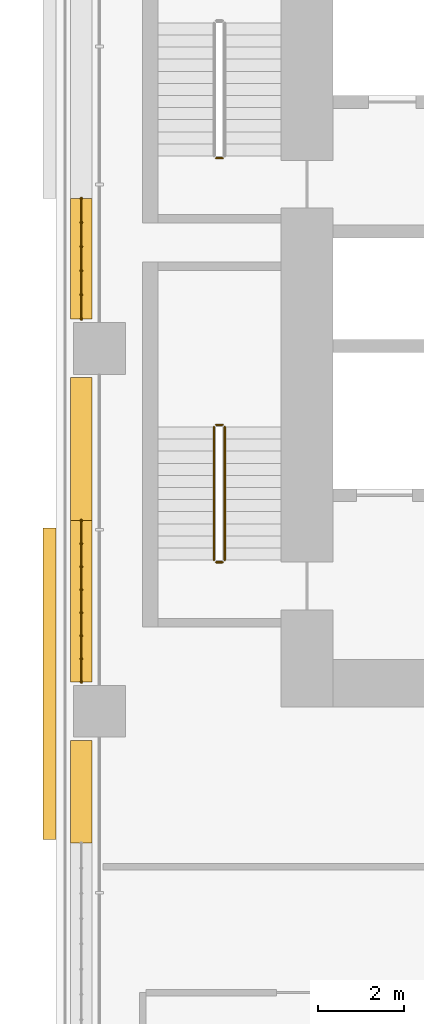
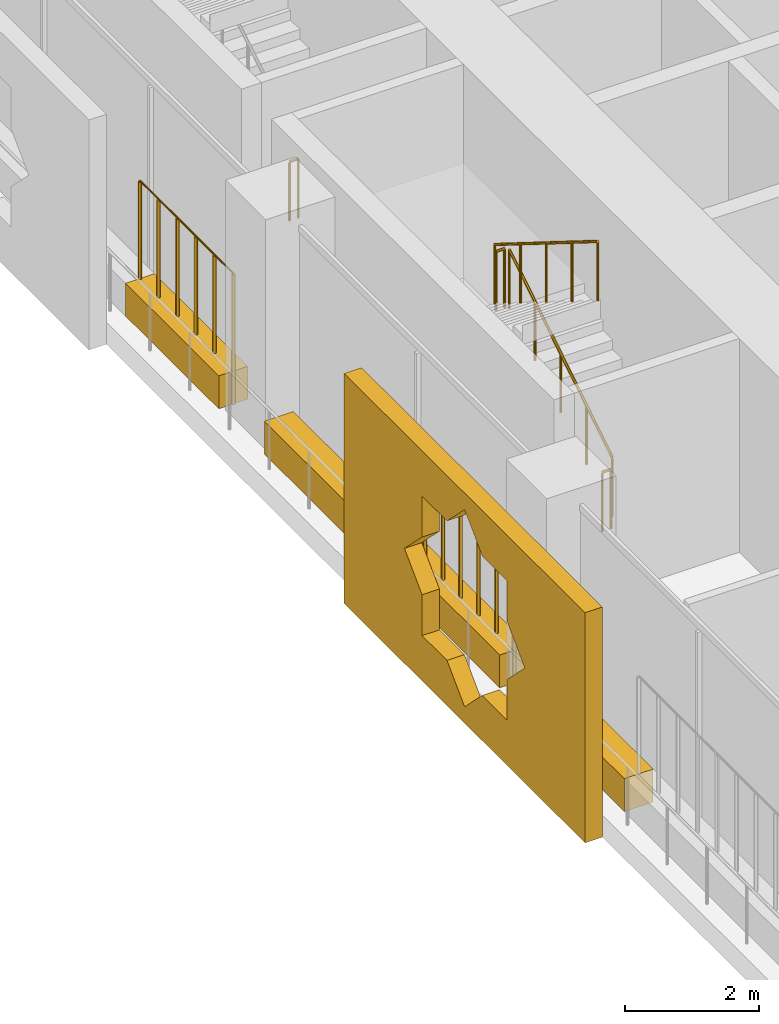
# One storey, part 23 of 28: 7 railings, 5 coverings.
"""IFC4 building model written with IfcOpenShell, lengths in metres."""

from ifc_helpers import new_model, si_unit, direction, frame, origin, origin_2d, place, context, subcontext, project, spatial, polyline, rectangle, circle, outline, extrude, material, material_profile, profile_set, type_object, element, save


model = new_model("IFC4")

# Units and contexts
model_context = context("Model", 3, precision=1e-05, world=origin(), true_north=direction((0.0, 1.0)))
body_context = subcontext(model_context, "Body", "Model", "MODEL_VIEW")
ifc_project = project(units=[si_unit("LENGTHUNIT", "METRE"), si_unit("AREAUNIT", "SQUARE_METRE"), si_unit("VOLUMEUNIT", "CUBIC_METRE"), si_unit("PLANEANGLEUNIT", "RADIAN"), si_unit("MASSUNIT", "GRAM", prefix="KILO")], contexts=[model_context])

# Site, building, storey
site_placement = place(None, origin())
site = spatial("IfcSite", under=ifc_project, at=site_placement, CompositionType="ELEMENT")
building_placement = place(site_placement, origin())
building = spatial("IfcBuilding", under=site, at=building_placement, Name="Kawkab Arch Medical Tower", CompositionType="ELEMENT")
storey_placement = place(building_placement, frame((0.0, 0.0, 81.199951171875)))
storey = spatial("IfcBuildingStorey", under=building, at=storey_placement, Name="L18", CompositionType="ELEMENT", Elevation=81.199951171875)

# Coverings
ifc_material_1 = material(Name="Bronze anodised aluminium mashrabiya panel, eight-point star pattern", Category="aluminium")
ifc_material_profile_1 = material_profile(ifc_material_1, outline(polyline([(-3.60009765625, -2.10009765625), (3.60009765625, -2.10009765625), (3.60009765625, 2.10009765625), (-3.60009765625, 2.10009765625), (-3.60009765625, -2.10009765625)]), holes=[polyline([(1.800048828125, 0.0), (1.272705078125, 0.527099609375), (1.272705078125, 1.272705078125), (0.527099609375, 1.272705078125), (0.0, 1.800048828125), (-0.527099609375, 1.272705078125), (-1.272705078125, 1.272705078125), (-1.272705078125, 0.527099609375), (-1.800048828125, 0.0), (-1.272705078125, -0.527099609375), (-1.272705078125, -1.272705078125), (-0.527099609375, -1.272705078125), (0.0, -1.800048828125), (0.527099609375, -1.272705078125), (1.272705078125, -1.272705078125), (1.272705078125, -0.527099609375), (1.800048828125, 0.0)])]), Name="Mashrabiya panel 7200x4200")
ifc_profile_set_1 = profile_set([ifc_material_profile_1], Name="Bronze anodised aluminium mashrabiya panel, eight-point star pattern")
covering_type_1 = type_object("IfcCoveringType", Name="Mashrabiya panel 7200 x 4200", PredefinedType="USERDEFINED", material=ifc_profile_set_1)
covering_1_placement = place(storey_placement, frame((-1.0, -24.561767578125, 1.699951171875), z_axis=(-1.0, 0.0, 0.0), x_axis=(0.0, -1.0, 0.0)))
element("IfcCovering", 1, at=covering_1_placement, inside=storey, type_object=covering_type_1, Name="Mashrabiya panel L18.LOG-01-01.4", ObjectType="SCREEN", PredefinedType="USERDEFINED", context=body_context, shape_type="SweptSolid", body=[
    extrude(outline(polyline([(-3.60009765625, -2.10009765625), (3.60009765625, -2.10009765625), (3.60009765625, 2.10009765625), (-3.60009765625, 2.10009765625), (-3.60009765625, -2.10009765625)]), holes=[polyline([(1.800048828125, 0.0), (1.272705078125, 0.527099609375), (1.272705078125, 1.272705078125), (0.527099609375, 1.272705078125), (0.0, 1.800048828125), (-0.527099609375, 1.272705078125), (-1.272705078125, 1.272705078125), (-1.272705078125, 0.527099609375), (-1.800048828125, 0.0), (-1.272705078125, -0.527099609375), (-1.272705078125, -1.272705078125), (-0.527099609375, -1.272705078125), (0.0, -1.800048828125), (0.527099609375, -1.272705078125), (1.272705078125, -1.272705078125), (1.272705078125, -0.527099609375), (1.800048828125, 0.0)])]), origin(), (0.0, 0.0, 1.0), 0.300048828125),
])
ifc_material_2 = material(Name="Planting soil in a precast trough", Category="concrete")
ifc_material_profile_2 = material_profile(ifc_material_2, rectangle(XDim=0.5, YDim=0.60009765625, at=origin_2d()), Name="Trough 500x600")
ifc_profile_set_2 = profile_set([ifc_material_profile_2], Name="Planting soil in a precast trough")
covering_type_2 = type_object("IfcCoveringType", Name="Planter trough 500 x 600", PredefinedType="USERDEFINED", material=ifc_profile_set_2)
covering_2_placement = place(storey_placement, frame((-0.419921875, -28.243896484375, 0.300048828125), z_axis=(0.0, 1.0, 0.0), x_axis=(-1.0, 0.0, 0.0)))
element("IfcCovering", 2, at=covering_2_placement, inside=storey, type_object=covering_type_2, Name="Planter L18.LOG-01-01.12", ObjectType="PLANTER", PredefinedType="USERDEFINED", context=body_context, shape_type="SweptSolid", body=[
    extrude(rectangle(XDim=0.5, YDim=0.60009765625, at=origin_2d()), origin(), (0.0, 0.0, 1.0), 2.364013671875),
])
covering_3_placement = place(storey_placement, frame((-0.419921875, -24.52001953125, 0.300048828125), z_axis=(0.0, 1.0, 0.0), x_axis=(-1.0, 0.0, 0.0)))
element("IfcCovering", 3, at=covering_3_placement, inside=storey, type_object=covering_type_2, Name="Planter L18.LOG-01-01.13", ObjectType="PLANTER", PredefinedType="USERDEFINED", context=body_context, shape_type="SweptSolid", body=[
    extrude(rectangle(XDim=0.5, YDim=0.60009765625, at=origin_2d()), origin(), (0.0, 0.0, 1.0), 3.73291015625),
])
covering_4_placement = place(storey_placement, frame((-0.419921875, -20.787109375, 0.300048828125), z_axis=(0.0, 1.0, 0.0), x_axis=(-1.0, 0.0, 0.0)))
element("IfcCovering", 4, at=covering_4_placement, inside=storey, type_object=covering_type_2, Name="Planter L18.LOG-01-01.14", ObjectType="PLANTER", PredefinedType="USERDEFINED", context=body_context, shape_type="SweptSolid", body=[
    extrude(rectangle(XDim=0.5, YDim=0.60009765625, at=origin_2d()), origin(), (0.0, 0.0, 1.0), 3.30712890625),
])
covering_5_placement = place(storey_placement, frame((-0.419921875, -16.1201171875, 0.300048828125), z_axis=(0.0, 1.0, 0.0), x_axis=(-1.0, 0.0, 0.0)))
element("IfcCovering", 5, at=covering_5_placement, inside=storey, type_object=covering_type_2, Name="Planter L18.LOG-01-01.15", ObjectType="PLANTER", PredefinedType="USERDEFINED", context=body_context, shape_type="SweptSolid", body=[
    extrude(rectangle(XDim=0.5, YDim=0.60009765625, at=origin_2d()), origin(), (0.0, 0.0, 1.0), 2.7890625),
])

# Railings
ifc_material_3 = material(Name="Bronze anodised aluminium trellis for climbing plants", Category="aluminium")
railing_type_1 = type_object("IfcRailingType", Name="Planting trellis 2400", PredefinedType="USERDEFINED", material=ifc_material_3)
railing_1_placement = place(storey_placement, frame((-0.419921875, -24.52001953125, 0.0)))
element("IfcRailing", 6, at=railing_1_placement, inside=storey, type_object=railing_type_1, Name="Planting trellis L18.LOG-01-01.13", ObjectType="TRELLIS", PredefinedType="USERDEFINED", context=body_context, shape_type="SweptSolid", body=[
    extrude(circle(Radius=0.01513671875, at=origin_2d()), frame((0.0, 0.0, 2.384765625), z_axis=(0.0, 1.0, 0.0), x_axis=(-1.0, 0.0, 0.0)), (0.0, 0.0, 1.0), 3.73291015625),
    extrude(circle(Radius=0.030029296875, at=origin_2d()), origin(), (0.0, 0.0, 1.0), 2.369873046875),
    extrude(circle(Radius=0.030029296875, at=origin_2d()), frame((0.0, 0.533203125, 0.0)), (0.0, 0.0, 1.0), 2.369873046875),
    extrude(circle(Radius=0.030029296875, at=origin_2d()), frame((0.0, 1.066650390625, 0.0)), (0.0, 0.0, 1.0), 2.369873046875),
    extrude(circle(Radius=0.030029296875, at=origin_2d()), frame((0.0, 1.599853515625, 0.0)), (0.0, 0.0, 1.0), 2.369873046875),
    extrude(circle(Radius=0.030029296875, at=origin_2d()), frame((0.0, 2.133056640625, 0.0)), (0.0, 0.0, 1.0), 2.369873046875),
    extrude(circle(Radius=0.030029296875, at=origin_2d()), frame((0.0, 2.666259765625, 0.0)), (0.0, 0.0, 1.0), 2.369873046875),
    extrude(circle(Radius=0.030029296875, at=origin_2d()), frame((0.0, 3.19970703125, 0.0)), (0.0, 0.0, 1.0), 2.369873046875),
    extrude(circle(Radius=0.030029296875, at=origin_2d()), frame((0.0, 3.73291015625, 0.0)), (0.0, 0.0, 1.0), 2.369873046875),
])
railing_2_placement = place(storey_placement, frame((-0.419921875, -16.1201171875, 0.0)))
element("IfcRailing", 7, at=railing_2_placement, inside=storey, type_object=railing_type_1, Name="Planting trellis L18.LOG-01-01.15", ObjectType="TRELLIS", PredefinedType="USERDEFINED", context=body_context, shape_type="SweptSolid", body=[
    extrude(circle(Radius=0.01513671875, at=origin_2d()), frame((0.0, 0.0, 2.384765625), z_axis=(0.0, 1.0, 0.0), x_axis=(-1.0, 0.0, 0.0)), (0.0, 0.0, 1.0), 2.7890625),
    extrude(circle(Radius=0.030029296875, at=origin_2d()), origin(), (0.0, 0.0, 1.0), 2.369873046875),
    extrude(circle(Radius=0.030029296875, at=origin_2d()), frame((0.0, 0.557861328125, 0.0)), (0.0, 0.0, 1.0), 2.369873046875),
    extrude(circle(Radius=0.030029296875, at=origin_2d()), frame((0.0, 1.11572265625, 0.0)), (0.0, 0.0, 1.0), 2.369873046875),
    extrude(circle(Radius=0.030029296875, at=origin_2d()), frame((0.0, 1.67333984375, 0.0)), (0.0, 0.0, 1.0), 2.369873046875),
    extrude(circle(Radius=0.030029296875, at=origin_2d()), frame((0.0, 2.231201171875, 0.0)), (0.0, 0.0, 1.0), 2.369873046875),
    extrude(circle(Radius=0.030029296875, at=origin_2d()), frame((0.0, 2.7890625, 0.0)), (0.0, 0.0, 1.0), 2.369873046875),
])
ifc_material_4 = material(Name="Stainless steel", Category="steel")
railing_type_2 = type_object("IfcRailingType", Name="Stair guard 1100", PredefinedType="GUARDRAIL", material=ifc_material_4)
railing_3_placement = place(storey_placement, frame((2.85009765625, -12.39990234375, 0.0)))
element("IfcRailing", 8, at=railing_3_placement, inside=storey, type_object=railing_type_2, Name="L18 ST1 stair guard 4", PredefinedType="GUARDRAIL", context=body_context, shape_type="SweptSolid", body=[
    extrude(circle(Radius=0.02392578125, at=origin_2d()), frame((0.0, 0.0, 1.076171875), z_axis=(-1.0, 0.0, 0.0), x_axis=(0.0, -1.0, 0.0)), (0.0, 0.0, 1.0), 0.150146484375),
    extrude(circle(Radius=0.02099609375, at=origin_2d()), origin(), (0.0, 0.0, 1.0), 1.052001953125),
    extrude(circle(Radius=0.02099609375, at=origin_2d()), frame((-0.150146484375, 0.0, 0.0)), (0.0, 0.0, 1.0), 1.052001953125),
])
railing_4_placement = place(storey_placement, frame((2.89990234375, -21.699951171875, 0.175048828125)))
element("IfcRailing", 9, at=railing_4_placement, inside=storey, type_object=railing_type_2, Name="L18 ST2 stair guard 1", PredefinedType="GUARDRAIL", context=body_context, shape_type="SweptSolid", body=[
    extrude(circle(Radius=0.02392578125, at=origin_2d()), frame((0.0, 0.0, 1.076171875), z_axis=(0.0, 0.847979421464, 0.530029150871), x_axis=(-1.0, 0.0, 0.0)), (0.0, 0.0, 1.0), 3.632080078125),
    extrude(circle(Radius=0.02099609375, at=origin_2d()), origin(), (0.0, 0.0, 1.0), 1.052001953125),
    extrude(circle(Radius=0.02099609375, at=origin_2d()), frame((0.0, 0.77001953125, 0.481201171875)), (0.0, 0.0, 1.0), 1.052001953125),
    extrude(circle(Radius=0.02099609375, at=origin_2d()), frame((0.0, 1.5400390625, 0.96240234375)), (0.0, 0.0, 1.0), 1.052001953125),
    extrude(circle(Radius=0.02099609375, at=origin_2d()), frame((0.0, 2.309814453125, 1.44384765625)), (0.0, 0.0, 1.0), 1.052001953125),
    extrude(circle(Radius=0.02099609375, at=origin_2d()), frame((0.0, 3.079833984375, 1.925048828125)), (0.0, 0.0, 1.0), 1.052001953125),
])
railing_5_placement = place(storey_placement, frame((2.85009765625, -18.570068359375, 2.10009765625)))
element("IfcRailing", 10, at=railing_5_placement, inside=storey, type_object=railing_type_2, Name="L18 ST2 stair guard 2", PredefinedType="GUARDRAIL", context=body_context, shape_type="SweptSolid", body=[
    extrude(circle(Radius=0.02392578125, at=origin_2d()), frame((0.0, 0.0, 1.076171875), z_axis=(-1.0, 0.0, 0.0), x_axis=(0.0, -1.0, 0.0)), (0.0, 0.0, 1.0), 0.150146484375),
    extrude(circle(Radius=0.02099609375, at=origin_2d()), origin(), (0.0, 0.0, 1.0), 1.052001953125),
    extrude(circle(Radius=0.02099609375, at=origin_2d()), frame((-0.150146484375, 0.0, 0.0)), (0.0, 0.0, 1.0), 1.052001953125),
])
railing_6_placement = place(storey_placement, frame((2.64990234375, -18.6201171875, 2.275146484375)))
element("IfcRailing", 11, at=railing_6_placement, inside=storey, type_object=railing_type_2, Name="L18 ST2 stair guard 3", PredefinedType="GUARDRAIL", context=body_context, shape_type="SweptSolid", body=[
    extrude(circle(Radius=0.02392578125, at=origin_2d()), frame((0.0, 0.0, 1.076171875), z_axis=(0.0, -0.848009633417, 0.529980812513), x_axis=(1.0, 0.0, 0.0)), (0.0, 0.0, 1.0), 3.6318359375),
    extrude(circle(Radius=0.02099609375, at=origin_2d()), origin(), (0.0, 0.0, 1.0), 1.052001953125),
    extrude(circle(Radius=0.02099609375, at=origin_2d()), frame((0.0, -0.77001953125, 0.481201171875)), (0.0, 0.0, 1.0), 1.052001953125),
    extrude(circle(Radius=0.02099609375, at=origin_2d()), frame((0.0, -1.5400390625, 0.96240234375)), (0.0, 0.0, 1.0), 1.052001953125),
    extrude(circle(Radius=0.02099609375, at=origin_2d()), frame((0.0, -2.309814453125, 1.443603515625)), (0.0, 0.0, 1.0), 1.052001953125),
    extrude(circle(Radius=0.02099609375, at=origin_2d()), frame((0.0, -3.079833984375, 1.9248046875)), (0.0, 0.0, 1.0), 1.052001953125),
])
railing_7_placement = place(storey_placement, frame((2.85009765625, -21.75, 0.0)))
element("IfcRailing", 12, at=railing_7_placement, inside=storey, type_object=railing_type_2, Name="L18 ST2 stair guard 4", PredefinedType="GUARDRAIL", context=body_context, shape_type="SweptSolid", body=[
    extrude(circle(Radius=0.02392578125, at=origin_2d()), frame((0.0, 0.0, 1.076171875), z_axis=(-1.0, 0.0, 0.0), x_axis=(0.0, -1.0, 0.0)), (0.0, 0.0, 1.0), 0.150146484375),
    extrude(circle(Radius=0.02099609375, at=origin_2d()), origin(), (0.0, 0.0, 1.0), 1.052001953125),
    extrude(circle(Radius=0.02099609375, at=origin_2d()), frame((-0.150146484375, 0.0, 0.0)), (0.0, 0.0, 1.0), 1.052001953125),
])

save(model, "model.ifc")
